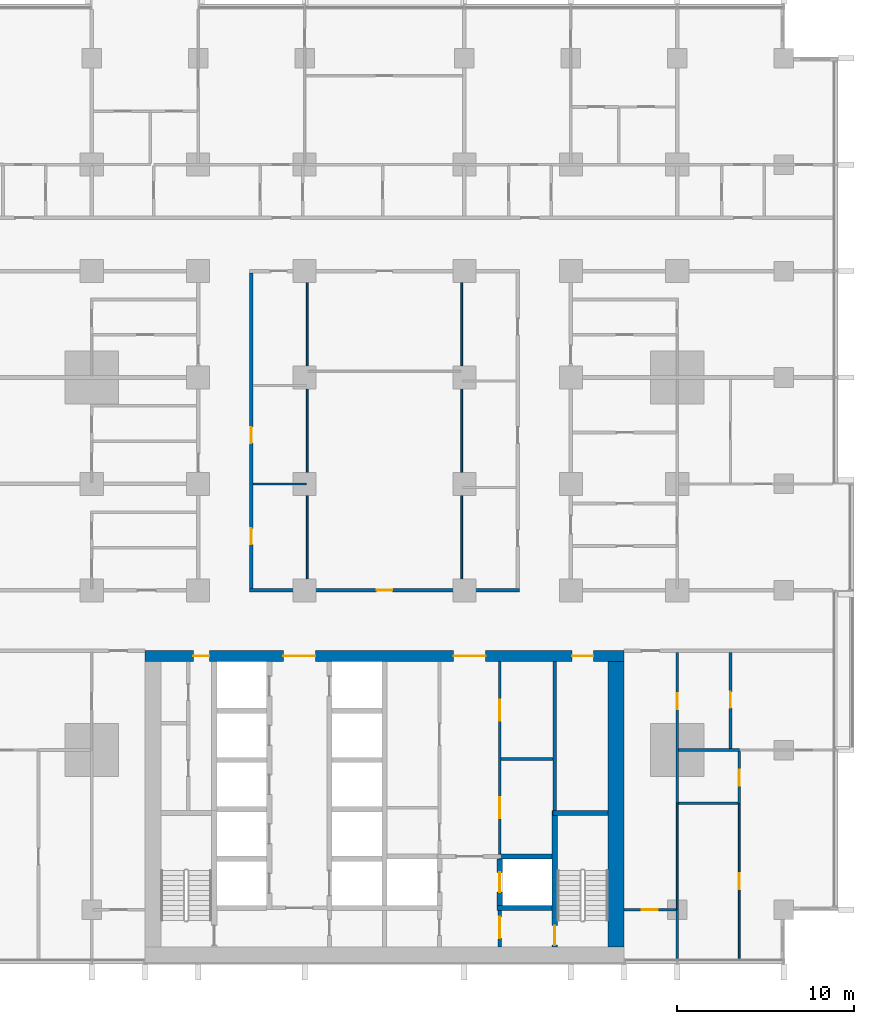
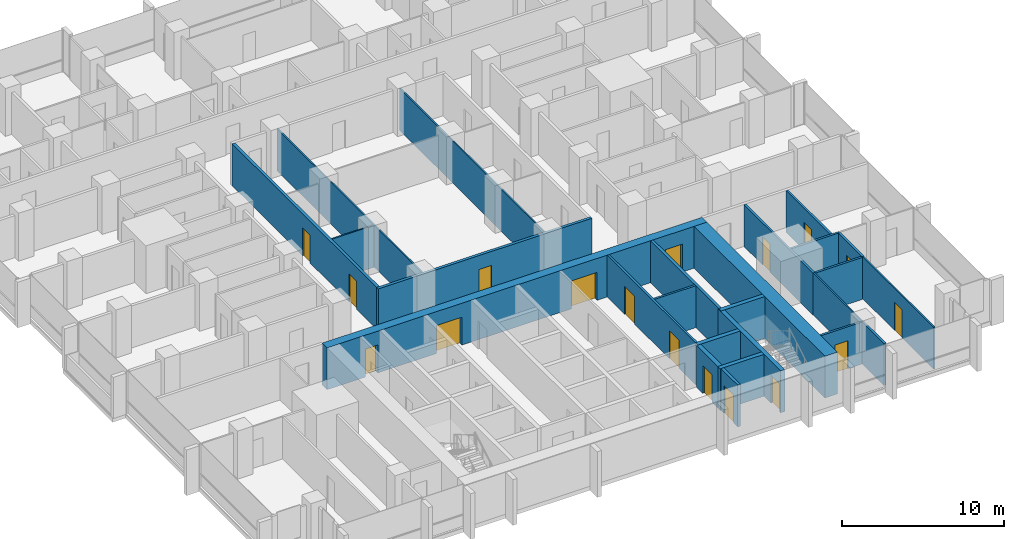
# One storey, part 9 of 18: 25 walls, 17 doors, 17 openings.
"""IFC4 building model written with IfcOpenShell, lengths in metres."""

from ifc_helpers import new_model, si_unit, direction, frame, frame_2d, origin, place, context, subcontext, project, spatial, rectangle, extrude, material, layer, layer_set, type_object, element, fill, save


model = new_model("IFC4")

# Units and contexts
model_context = context("Model", 3, precision=1e-05, world=origin(), true_north=direction((0.0, 1.0)))
body_context = subcontext(model_context, "Body", "Model", "MODEL_VIEW")
ifc_project = project(units=[si_unit("LENGTHUNIT", "METRE"), si_unit("AREAUNIT", "SQUARE_METRE"), si_unit("VOLUMEUNIT", "CUBIC_METRE"), si_unit("PLANEANGLEUNIT", "RADIAN"), si_unit("MASSUNIT", "GRAM", prefix="KILO")], contexts=[model_context])

# Site, building, storey
site_placement = place(None, origin())
site = spatial("IfcSite", under=ifc_project, at=site_placement, CompositionType="ELEMENT")
building_placement = place(site_placement, origin())
building = spatial("IfcBuilding", under=site, at=building_placement, Name="Finial Court Residences", CompositionType="ELEMENT")
storey_placement = place(building_placement, frame((0.0, 0.0, 72.10009765625)))
storey = spatial("IfcBuildingStorey", under=building, at=storey_placement, Name="L17", CompositionType="ELEMENT", Elevation=72.10009765625)

# Wall, openings, doors
ifc_material_1 = material(Name="Concrete C80/95", Category="concrete")
ifc_layer_1 = layer(ifc_material_1, 0.60009765625)
ifc_layer_set_1 = layer_set([ifc_layer_1], Name="Core outer wall 600 Concrete C80/95")
wall_type_1 = type_object("IfcWallType", Name="Core outer wall 600 Concrete C80/95", PredefinedType="SHEAR", material=ifc_layer_set_1)
wall_1_placement = place(storey_placement, frame((-13.5, -8.199951171875, 0.0), z_axis=(0.0, 0.0, 1.0), x_axis=(1.0, 0.0, 0.0)))
wall_1 = element("IfcWall", 1, at=wall_1_placement, inside=storey, type_object=wall_type_1, Name="Core outer wall L17-02", PredefinedType="SHEAR", context=body_context, shape_type="SweptSolid", body=[
    extrude(rectangle(XDim=27.0, YDim=0.60009765625, at=frame_2d((13.5, 0.0))), origin(), (0.0, 0.0, 1.0), 3.14990234375),
])
opening_1_placement = place(wall_1_placement, frame((7.800048828125, 0.0, 0.0)))
opening_1 = element("IfcOpeningElement", 2, at=opening_1_placement, cuts=wall_1, Name="Opening L17-C04", PredefinedType="OPENING", context=body_context, shape_type="SweptSolid", body=[
    extrude(rectangle(XDim=1.800048828125, YDim=2.10009765625, at=frame_2d((0.89990234375, 1.050048828125))), frame((0.0, 0.31005859375, 0.0), z_axis=(0.0, -1.0, 0.0), x_axis=(1.0, 0.0, 0.0)), (0.0, 0.0, 1.0), 0.6201171875),
])
opening_2_placement = place(wall_1_placement, frame((17.39990234375, 0.0, 0.0)))
opening_2 = element("IfcOpeningElement", 3, at=opening_2_placement, cuts=wall_1, Name="Opening L17-C05", PredefinedType="OPENING", context=body_context, shape_type="SweptSolid", body=[
    extrude(rectangle(XDim=1.800048828125, YDim=2.10009765625, at=frame_2d((0.89990234375, 1.050048828125))), frame((0.0, 0.31005859375, 0.0), z_axis=(0.0, -1.0, 0.0), x_axis=(1.0, 0.0, 0.0)), (0.0, 0.0, 1.0), 0.6201171875),
])
opening_3_placement = place(wall_1_placement, frame((2.72509765625, 0.0, 0.0)))
opening_3 = element("IfcOpeningElement", 4, at=opening_3_placement, cuts=wall_1, Name="Opening L17-C08", PredefinedType="OPENING", context=body_context, shape_type="SweptSolid", body=[
    extrude(rectangle(XDim=0.89990234375, YDim=2.10009765625, at=frame_2d((0.449951171875, 1.050048828125))), frame((0.0, 0.31005859375, 0.0), z_axis=(0.0, -1.0, 0.0), x_axis=(1.0, 0.0, 0.0)), (0.0, 0.0, 1.0), 0.6201171875),
])
opening_4_placement = place(wall_1_placement, frame((24.074951171875, 0.0, 0.0)))
opening_4 = element("IfcOpeningElement", 5, at=opening_4_placement, cuts=wall_1, Name="Opening L17-C09", PredefinedType="OPENING", context=body_context, shape_type="SweptSolid", body=[
    extrude(rectangle(XDim=1.199951171875, YDim=2.10009765625, at=frame_2d((0.60009765625, 1.050048828125))), frame((0.0, 0.31005859375, 0.0), z_axis=(0.0, -1.0, 0.0), x_axis=(1.0, 0.0, 0.0)), (0.0, 0.0, 1.0), 0.6201171875),
])
ifc_material_2 = material(Name="Steel fire door", Category="steel")
door_type_1 = type_object("IfcDoorType", Name="Lift lobby door 1800 x 2100 EI 60", OperationType="DOUBLE_DOOR_SINGLE_SWING", PredefinedType="DOOR", material=ifc_material_2)
door_1_placement = place(opening_1_placement, origin())
door_1 = element("IfcDoor", 6, at=door_1_placement, inside=storey, type_object=door_type_1, Name="Lift lobby door L17-C04", OperationType="DOUBLE_DOOR_SINGLE_SWING", OverallHeight=2.10009765625, OverallWidth=1.800048828125, PredefinedType="DOOR", context=body_context, shape_type="SweptSolid", body=[
    extrude(rectangle(XDim=1.800048828125, YDim=2.10009765625, at=frame_2d((0.89990234375, 1.050048828125))), frame((0.0, 0.02490234375, 0.0), z_axis=(0.0, -1.0, 0.0), x_axis=(1.0, 0.0, 0.0)), (0.0, 0.0, 1.0), 0.050048828125),
])
fill(opening_1, door_1)
door_2_placement = place(opening_2_placement, origin())
door_2 = element("IfcDoor", 7, at=door_2_placement, inside=storey, type_object=door_type_1, Name="Lift lobby door L17-C05", OperationType="DOUBLE_DOOR_SINGLE_SWING", OverallHeight=2.10009765625, OverallWidth=1.800048828125, PredefinedType="DOOR", context=body_context, shape_type="SweptSolid", body=[
    extrude(rectangle(XDim=1.800048828125, YDim=2.10009765625, at=frame_2d((0.89990234375, 1.050048828125))), frame((0.0, 0.02490234375, 0.0), z_axis=(0.0, -1.0, 0.0), x_axis=(1.0, 0.0, 0.0)), (0.0, 0.0, 1.0), 0.050048828125),
])
fill(opening_2, door_2)
door_type_2 = type_object("IfcDoorType", Name="Riser room door 1200 x 2100 EI 90", OperationType="NOTDEFINED", PredefinedType="DOOR", material=ifc_material_2)
door_3_placement = place(opening_4_placement, origin())
door_3 = element("IfcDoor", 8, at=door_3_placement, inside=storey, type_object=door_type_2, Name="Riser room door L17-C09", OperationType="SINGLE_SWING_RIGHT", OverallHeight=2.10009765625, OverallWidth=1.199951171875, PredefinedType="DOOR", context=body_context, shape_type="SweptSolid", body=[
    extrude(rectangle(XDim=1.199951171875, YDim=2.10009765625, at=frame_2d((0.60009765625, 1.050048828125))), frame((0.0, 0.02490234375, 0.0), z_axis=(0.0, -1.0, 0.0), x_axis=(1.0, 0.0, 0.0)), (0.0, 0.0, 1.0), 0.050048828125),
])
fill(opening_4, door_3)
door_type_3 = type_object("IfcDoorType", Name="Riser room door 900 x 2100 EI 90", OperationType="NOTDEFINED", PredefinedType="DOOR", material=ifc_material_2)
door_4_placement = place(opening_3_placement, origin())
door_4 = element("IfcDoor", 9, at=door_4_placement, inside=storey, type_object=door_type_3, Name="Riser room door L17-C08", OperationType="SINGLE_SWING_RIGHT", OverallHeight=2.10009765625, OverallWidth=0.89990234375, PredefinedType="DOOR", context=body_context, shape_type="SweptSolid", body=[
    extrude(rectangle(XDim=0.89990234375, YDim=2.10009765625, at=frame_2d((0.449951171875, 1.050048828125))), frame((0.0, 0.02490234375, 0.0), z_axis=(0.0, -1.0, 0.0), x_axis=(1.0, 0.0, 0.0)), (0.0, 0.0, 1.0), 0.050048828125),
])
fill(opening_3, door_4)

# Walls
ifc_layer_2 = layer(ifc_material_1, 0.89990234375)
ifc_layer_set_2 = layer_set([ifc_layer_2], Name="Core outer wall 900 Concrete C80/95")
wall_type_2 = type_object("IfcWallType", Name="Core outer wall 900 Concrete C80/95", PredefinedType="SHEAR", material=ifc_layer_set_2)
wall_2_placement = place(storey_placement, frame((13.050048828125, -24.60009765625, 0.0), z_axis=(0.0, 0.0, 1.0), x_axis=(0.0, 1.0, 0.0)))
element("IfcWall", 10, at=wall_2_placement, inside=storey, type_object=wall_type_2, Name="Core outer wall L17-04", PredefinedType="SHEAR", context=body_context, shape_type="SweptSolid", body=[
    extrude(rectangle(XDim=16.10009765625, YDim=0.89990234375, at=frame_2d((8.050048828125, 0.0))), origin(), (0.0, 0.0, 1.0), 3.14990234375),
])
ifc_material_3 = material(Name="Fire-rated gypsum board partition")
ifc_layer_3 = layer(ifc_material_3, 0.14990234375)
ifc_layer_set_3 = layer_set([ifc_layer_3], Name="Core room partition 150 EI 60")
wall_type_3 = type_object("IfcWallType", Name="Core room partition 150 EI 60", PredefinedType="PARTITIONING", material=ifc_layer_set_3)
wall_3_placement = place(storey_placement, frame((6.574951171875, -14.0, 0.0), z_axis=(0.0, 0.0, 1.0), x_axis=(1.0, 0.0, 0.0)))
element("IfcWall", 11, at=wall_3_placement, inside=storey, type_object=wall_type_3, Name="Core partition L17-17", PredefinedType="PARTITIONING", context=body_context, shape_type="SweptSolid", body=[
    extrude(rectangle(XDim=2.925048828125, YDim=0.14990234375, at=frame_2d((1.46240234375, 0.0))), origin(), (0.0, 0.0, 1.0), 3.14990234375),
])

# Wall, openings, doors
wall_4_placement = place(storey_placement, frame((6.5, -8.5, 0.0), z_axis=(0.0, 0.0, 1.0), x_axis=(0.0, -1.0, 0.0)))
wall_4 = element("IfcWall", 12, at=wall_4_placement, inside=storey, type_object=wall_type_3, Name="Core partition L17-35", PredefinedType="PARTITIONING", context=body_context, shape_type="SweptSolid", body=[
    extrude(rectangle(XDim=10.85009765625, YDim=0.14990234375, at=frame_2d((5.425048828125, 0.0))), origin(), (0.0, 0.0, 1.0), 3.14990234375),
])
opening_5_placement = place(wall_4_placement, frame((7.64990234375, 0.0, 0.0)))
opening_5 = element("IfcOpeningElement", 13, at=opening_5_placement, cuts=wall_4, Name="Opening L17-C14", PredefinedType="OPENING", context=body_context, shape_type="SweptSolid", body=[
    extrude(rectangle(XDim=1.199951171875, YDim=2.10009765625, at=frame_2d((0.60009765625, 1.050048828125))), frame((0.0, 0.0849609375, 0.0), z_axis=(0.0, -1.0, 0.0), x_axis=(1.0, 0.0, 0.0)), (0.0, 0.0, 1.0), 0.169921875),
])
opening_6_placement = place(wall_4_placement, frame((2.14990234375, 0.0, 0.0)))
opening_6 = element("IfcOpeningElement", 14, at=opening_6_placement, cuts=wall_4, Name="Opening L17-C15", PredefinedType="OPENING", context=body_context, shape_type="SweptSolid", body=[
    extrude(rectangle(XDim=1.199951171875, YDim=2.10009765625, at=frame_2d((0.60009765625, 1.050048828125))), frame((0.0, 0.0849609375, 0.0), z_axis=(0.0, -1.0, 0.0), x_axis=(1.0, 0.0, 0.0)), (0.0, 0.0, 1.0), 0.169921875),
])
door_type_4 = type_object("IfcDoorType", Name="Core room door 1200 x 2100 EI 60", OperationType="NOTDEFINED", PredefinedType="DOOR", material=ifc_material_2)
door_5_placement = place(opening_5_placement, origin())
door_5 = element("IfcDoor", 15, at=door_5_placement, inside=storey, type_object=door_type_4, Name="Core room door L17-C14", OperationType="SINGLE_SWING_RIGHT", OverallHeight=2.10009765625, OverallWidth=1.199951171875, PredefinedType="DOOR", context=body_context, shape_type="SweptSolid", body=[
    extrude(rectangle(XDim=1.199951171875, YDim=2.10009765625, at=frame_2d((0.60009765625, 1.050048828125))), frame((0.0, 0.02490234375, 0.0), z_axis=(0.0, -1.0, 0.0), x_axis=(1.0, 0.0, 0.0)), (0.0, 0.0, 1.0), 0.050048828125),
])
fill(opening_5, door_5)
door_6_placement = place(opening_6_placement, origin())
door_6 = element("IfcDoor", 16, at=door_6_placement, inside=storey, type_object=door_type_4, Name="Core room door L17-C15", OperationType="SINGLE_SWING_RIGHT", OverallHeight=2.10009765625, OverallWidth=1.199951171875, PredefinedType="DOOR", context=body_context, shape_type="SweptSolid", body=[
    extrude(rectangle(XDim=1.199951171875, YDim=2.10009765625, at=frame_2d((0.60009765625, 1.050048828125))), frame((0.0, 0.02490234375, 0.0), z_axis=(0.0, -1.0, 0.0), x_axis=(1.0, 0.0, 0.0)), (0.0, 0.0, 1.0), 0.050048828125),
])
fill(opening_6, door_6)

# Wall, opening, door
ifc_material_4 = material(Name="Gypsum board")
ifc_layer_4 = layer(ifc_material_4, 0.02490234375)
ifc_material_5 = material(Name="Acoustic mineral wool in double frame")
ifc_layer_5 = layer(ifc_material_5, 0.14990234375)
ifc_layer_6 = layer(ifc_material_4, 0.02490234375)
ifc_layer_set_4 = layer_set([ifc_layer_4, ifc_layer_5, ifc_layer_6], Name="Corridor wall 200, 1 hour")
wall_type_4 = type_object("IfcWallType", Name="Corridor wall 200, 1 hour", PredefinedType="PARTITIONING", material=ifc_layer_set_4)
wall_5_placement = place(storey_placement, frame((-7.60009765625, -4.5, 0.0), z_axis=(0.0, 0.0, 1.0), x_axis=(1.0, 0.0, 0.0)))
wall_5 = element("IfcWall", 17, at=wall_5_placement, inside=storey, type_object=wall_type_4, Name="Partition L17-010", PredefinedType="PARTITIONING", context=body_context, shape_type="SweptSolid", body=[
    extrude(rectangle(XDim=15.2001953125, YDim=0.199951171875, at=frame_2d((7.60009765625, 0.0))), origin(), (0.0, 0.0, 1.0), 3.14990234375),
])
opening_7_placement = place(wall_5_placement, frame((7.14990234375, 0.0, 0.0)))
opening_7 = element("IfcOpeningElement", 18, at=opening_7_placement, cuts=wall_5, Name="Opening L17-D008", PredefinedType="OPENING", context=body_context, shape_type="SweptSolid", body=[
    extrude(rectangle(XDim=0.89990234375, YDim=2.10009765625, at=frame_2d((0.449951171875, 1.050048828125))), frame((0.0, 0.10986328125, 0.0), z_axis=(0.0, -1.0, 0.0), x_axis=(1.0, 0.0, 0.0)), (0.0, 0.0, 1.0), 0.219970703125),
])
ifc_material_6 = material(Name="Timber door leaf in hollow metal frame", Category="wood")
door_type_5 = type_object("IfcDoorType", Name="Fire door set 900 x 2100, 30 minutes", OperationType="SINGLE_SWING_LEFT", PredefinedType="DOOR", material=ifc_material_6)
door_7_placement = place(opening_7_placement, origin())
door_7 = element("IfcDoor", 19, at=door_7_placement, inside=storey, type_object=door_type_5, Name="Door L17-D008", OperationType="SINGLE_SWING_LEFT", OverallHeight=2.10009765625, OverallWidth=0.89990234375, PredefinedType="DOOR", context=body_context, shape_type="SweptSolid", body=[
    extrude(rectangle(XDim=0.89990234375, YDim=2.10009765625, at=frame_2d((0.449951171875, 1.050048828125))), frame((0.0, 0.02490234375, 0.0), z_axis=(0.0, -1.0, 0.0), x_axis=(1.0, 0.0, 0.0)), (0.0, 0.0, 1.0), 0.050048828125),
])
fill(opening_7, door_7)

# Wall, openings, doors
wall_6_placement = place(storey_placement, frame((-7.5, -4.39990234375, 0.0), z_axis=(0.0, 0.0, 1.0), x_axis=(0.0, 1.0, 0.0)))
wall_6 = element("IfcWall", 20, at=wall_6_placement, inside=storey, type_object=wall_type_4, Name="Partition L17-072", PredefinedType="PARTITIONING", context=body_context, shape_type="SweptSolid", body=[
    extrude(rectangle(XDim=17.7998046875, YDim=0.199951171875, at=frame_2d((8.89990234375, 0.0))), origin(), (0.0, 0.0, 1.0), 3.14990234375),
])
opening_8_placement = place(wall_6_placement, frame((2.5, 0.0, 0.0)))
opening_8 = element("IfcOpeningElement", 21, at=opening_8_placement, cuts=wall_6, Name="Opening L17-D044", PredefinedType="OPENING", context=body_context, shape_type="SweptSolid", body=[
    extrude(rectangle(XDim=0.89990234375, YDim=2.10009765625, at=frame_2d((0.449951171875, 1.050048828125))), frame((0.0, 0.10986328125, 0.0), z_axis=(0.0, -1.0, 0.0), x_axis=(1.0, 0.0, 0.0)), (0.0, 0.0, 1.0), 0.219970703125),
])
opening_9_placement = place(wall_6_placement, frame((8.199951171875, 0.0, 0.0)))
opening_9 = element("IfcOpeningElement", 22, at=opening_9_placement, cuts=wall_6, Name="Opening L17-D045", PredefinedType="OPENING", context=body_context, shape_type="SweptSolid", body=[
    extrude(rectangle(XDim=0.89990234375, YDim=2.10009765625, at=frame_2d((0.449951171875, 1.050048828125))), frame((0.0, 0.10986328125, 0.0), z_axis=(0.0, -1.0, 0.0), x_axis=(1.0, 0.0, 0.0)), (0.0, 0.0, 1.0), 0.219970703125),
])
door_8_placement = place(opening_8_placement, origin())
door_8 = element("IfcDoor", 23, at=door_8_placement, inside=storey, type_object=door_type_5, Name="Door L17-D044", OperationType="SINGLE_SWING_LEFT", OverallHeight=2.10009765625, OverallWidth=0.89990234375, PredefinedType="DOOR", context=body_context, shape_type="SweptSolid", body=[
    extrude(rectangle(XDim=0.89990234375, YDim=2.10009765625, at=frame_2d((0.449951171875, 1.050048828125))), frame((0.0, 0.02490234375, 0.0), z_axis=(0.0, -1.0, 0.0), x_axis=(1.0, 0.0, 0.0)), (0.0, 0.0, 1.0), 0.050048828125),
])
fill(opening_8, door_8)
door_9_placement = place(opening_9_placement, origin())
door_9 = element("IfcDoor", 24, at=door_9_placement, inside=storey, type_object=door_type_5, Name="Door L17-D045", OperationType="SINGLE_SWING_LEFT", OverallHeight=2.10009765625, OverallWidth=0.89990234375, PredefinedType="DOOR", context=body_context, shape_type="SweptSolid", body=[
    extrude(rectangle(XDim=0.89990234375, YDim=2.10009765625, at=frame_2d((0.449951171875, 1.050048828125))), frame((0.0, 0.02490234375, 0.0), z_axis=(0.0, -1.0, 0.0), x_axis=(1.0, 0.0, 0.0)), (0.0, 0.0, 1.0), 0.050048828125),
])
fill(opening_9, door_9)

# Wall, opening, door
ifc_layer_7 = layer(ifc_material_3, 0.199951171875)
ifc_layer_set_5 = layer_set([ifc_layer_7], Name="Firefighting lobby wall 200 EI 120")
wall_type_5 = type_object("IfcWallType", Name="Firefighting lobby wall 200 EI 120", PredefinedType="PARTITIONING", material=ifc_layer_set_5)
wall_7_placement = place(storey_placement, frame((6.5, -22.550048828125, 0.0), z_axis=(0.0, 0.0, 1.0), x_axis=(0.0, -1.0, 0.0)))
wall_7 = element("IfcWall", 25, at=wall_7_placement, inside=storey, type_object=wall_type_5, Name="Core partition L17-33", PredefinedType="PARTITIONING", context=body_context, shape_type="SweptSolid", body=[
    extrude(rectangle(XDim=2.050048828125, YDim=0.199951171875, at=frame_2d((1.02490234375, 0.0))), origin(), (0.0, 0.0, 1.0), 3.14990234375),
])
opening_10_placement = place(wall_7_placement, frame((0.35009765625, 0.0, 0.0)))
opening_10 = element("IfcOpeningElement", 26, at=opening_10_placement, cuts=wall_7, Name="Opening L17-C01", PredefinedType="OPENING", context=body_context, shape_type="SweptSolid", body=[
    extrude(rectangle(XDim=1.199951171875, YDim=2.10009765625, at=frame_2d((0.60009765625, 1.050048828125))), frame((0.0, 0.10986328125, 0.0), z_axis=(0.0, -1.0, 0.0), x_axis=(1.0, 0.0, 0.0)), (0.0, 0.0, 1.0), 0.219970703125),
])
door_type_6 = type_object("IfcDoorType", Name="Firefighting lobby door 1200 x 2100 EI 90", OperationType="NOTDEFINED", PredefinedType="DOOR", material=ifc_material_2)
door_10_placement = place(opening_10_placement, origin())
door_10 = element("IfcDoor", 27, at=door_10_placement, inside=storey, type_object=door_type_6, Name="Firefighting lobby door L17-C01", OperationType="SINGLE_SWING_RIGHT", OverallHeight=2.10009765625, OverallWidth=1.199951171875, PredefinedType="DOOR", context=body_context, shape_type="SweptSolid", body=[
    extrude(rectangle(XDim=1.199951171875, YDim=2.10009765625, at=frame_2d((0.60009765625, 1.050048828125))), frame((0.0, 0.02490234375, 0.0), z_axis=(0.0, -1.0, 0.0), x_axis=(1.0, 0.0, 0.0)), (0.0, 0.0, 1.0), 0.050048828125),
])
fill(opening_10, door_10)

# Walls
ifc_layer_8 = layer(ifc_material_4, 0.012451171875)
ifc_material_7 = material(Name="Mineral wool in light-gauge frame")
ifc_layer_9 = layer(ifc_material_7, 0.074951171875)
ifc_layer_10 = layer(ifc_material_4, 0.012451171875)
ifc_layer_set_6 = layer_set([ifc_layer_8, ifc_layer_9, ifc_layer_10], Name="Gypsum board partition 100")
wall_type_6 = type_object("IfcWallType", Name="Gypsum board partition 100", PredefinedType="PARTITIONING", material=ifc_layer_set_6)
wall_8_placement = place(storey_placement, frame((-7.39990234375, 1.5, 0.0), z_axis=(0.0, 0.0, 1.0), x_axis=(1.0, 0.0, 0.0)))
element("IfcWall", 28, at=wall_8_placement, inside=storey, type_object=wall_type_6, Name="Partition L17-017", PredefinedType="PARTITIONING", context=body_context, shape_type="SweptSolid", body=[
    extrude(rectangle(XDim=3.0, YDim=0.10009765625, at=frame_2d((1.5, 0.0))), origin(), (0.0, 0.0, 1.0), 3.14990234375),
])
for number, where, z_axis, x_axis, name in (
    (29, (-4.35009765625, -4.39990234375, 0.0), (0.0, 0.0, 1.0), (0.0, 1.0, 0.0), "Partition L17-076"),
    (30, (4.35009765625, -4.39990234375, 0.0), (0.0, 0.0, 1.0), (0.0, 1.0, 0.0), "Partition L17-078"),
):
    element("IfcWall", number, at=place(storey_placement, frame(where, z_axis=z_axis, x_axis=x_axis)), inside=storey, type_object=wall_type_6, Name=name, PredefinedType="PARTITIONING", context=body_context, shape_type="SweptSolid", body=[
        extrude(rectangle(XDim=17.7998046875, YDim=0.10009765625, at=frame_2d((8.89990234375, 0.0))), origin(), (0.0, 0.0, 1.0), 3.14990234375),
    ])
wall_9_placement = place(storey_placement, frame((16.5, -22.5, 0.0), z_axis=(0.0, 0.0, 1.0), x_axis=(0.0, 1.0, 0.0)))
element("IfcWall", 31, at=wall_9_placement, inside=storey, type_object=wall_type_6, Name="Partition L17-088", PredefinedType="PARTITIONING", context=body_context, shape_type="SweptSolid", body=[
    extrude(rectangle(XDim=6.0, YDim=0.10009765625, at=frame_2d((3.0, 0.0))), origin(), (0.0, 0.0, 1.0), 3.14990234375),
])

# Wall, opening, door
wall_10_placement = place(storey_placement, frame((20.0, -25.25, 0.0), z_axis=(0.0, 0.0, 1.0), x_axis=(0.0, 1.0, 0.0)))
wall_10 = element("IfcWall", 32, at=wall_10_placement, inside=storey, type_object=wall_type_6, Name="Partition L17-102", PredefinedType="PARTITIONING", context=body_context, shape_type="SweptSolid", body=[
    extrude(rectangle(XDim=8.75, YDim=0.10009765625, at=frame_2d((4.375, 0.0))), origin(), (0.0, 0.0, 1.0), 3.14990234375),
])
opening_11_placement = place(wall_10_placement, frame((3.89990234375, 0.0, 0.0)))
opening_11 = element("IfcOpeningElement", 33, at=opening_11_placement, cuts=wall_10, Name="Opening L17-D064", PredefinedType="OPENING", context=body_context, shape_type="SweptSolid", body=[
    extrude(rectangle(XDim=0.89990234375, YDim=2.10009765625, at=frame_2d((0.449951171875, 1.050048828125))), frame((0.0, 0.06005859375, 0.0), z_axis=(0.0, -1.0, 0.0), x_axis=(1.0, 0.0, 0.0)), (0.0, 0.0, 1.0), 0.1201171875),
])
ifc_material_8 = material(Name="Timber door leaf in timber frame", Category="wood")
door_type_7 = type_object("IfcDoorType", Name="Door set 900 x 2100", OperationType="SINGLE_SWING_LEFT", PredefinedType="DOOR", material=ifc_material_8)
door_11_placement = place(opening_11_placement, origin())
door_11 = element("IfcDoor", 34, at=door_11_placement, inside=storey, type_object=door_type_7, Name="Door L17-D064", OperationType="SINGLE_SWING_LEFT", OverallHeight=2.10009765625, OverallWidth=0.89990234375, PredefinedType="DOOR", context=body_context, shape_type="SweptSolid", body=[
    extrude(rectangle(XDim=0.89990234375, YDim=2.10009765625, at=frame_2d((0.449951171875, 1.050048828125))), frame((0.0, 0.02490234375, 0.0), z_axis=(0.0, -1.0, 0.0), x_axis=(1.0, 0.0, 0.0)), (0.0, 0.0, 1.0), 0.050048828125),
])
fill(opening_11, door_11)

ifc_material_9 = material(Name="Moisture-resistant gypsum board")
ifc_layer_11 = layer(ifc_material_9, 0.012451171875)
ifc_layer_12 = layer(ifc_material_7, 0.125)
ifc_layer_13 = layer(ifc_material_9, 0.012451171875)
ifc_layer_set_7 = layer_set([ifc_layer_11, ifc_layer_12, ifc_layer_13], Name="Gypsum board wet-area partition 150")
wall_type_7 = type_object("IfcWallType", Name="Gypsum board wet-area partition 150", PredefinedType="PARTITIONING", material=ifc_layer_set_7)
wall_11_placement = place(storey_placement, frame((13.5, -22.5, 0.0), z_axis=(0.0, 0.0, 1.0), x_axis=(1.0, 0.0, 0.0)))
wall_11 = element("IfcWall", 35, at=wall_11_placement, inside=storey, type_object=wall_type_7, Name="Partition L17-001", PredefinedType="PARTITIONING", context=body_context, shape_type="SweptSolid", body=[
    extrude(rectangle(XDim=2.925048828125, YDim=0.14990234375, at=frame_2d((1.46240234375, 0.0))), origin(), (0.0, 0.0, 1.0), 3.14990234375),
])
opening_12_placement = place(wall_11_placement, frame((1.0, 0.0, 0.0)))
opening_12 = element("IfcOpeningElement", 36, at=opening_12_placement, cuts=wall_11, Name="Opening L17-D002", PredefinedType="OPENING", context=body_context, shape_type="SweptSolid", body=[
    extrude(rectangle(XDim=0.89990234375, YDim=2.10009765625, at=frame_2d((0.449951171875, 1.050048828125))), frame((0.0, 0.0849609375, 0.0), z_axis=(0.0, -1.0, 0.0), x_axis=(1.0, 0.0, 0.0)), (0.0, 0.0, 1.0), 0.169921875),
])
door_12_placement = place(opening_12_placement, origin())
door_12 = element("IfcDoor", 37, at=door_12_placement, inside=storey, type_object=door_type_7, Name="Door L17-D002", OperationType="SINGLE_SWING_RIGHT", OverallHeight=2.10009765625, OverallWidth=0.89990234375, PredefinedType="DOOR", context=body_context, shape_type="SweptSolid", body=[
    extrude(rectangle(XDim=0.89990234375, YDim=2.10009765625, at=frame_2d((0.449951171875, 1.050048828125))), frame((0.0, 0.02490234375, 0.0), z_axis=(0.0, -1.0, 0.0), x_axis=(1.0, 0.0, 0.0)), (0.0, 0.0, 1.0), 0.050048828125),
])
fill(opening_12, door_12)

# Walls
wall_12_placement = place(storey_placement, frame((16.574951171875, -16.5, 0.0), z_axis=(0.0, 0.0, 1.0), x_axis=(1.0, 0.0, 0.0)))
element("IfcWall", 38, at=wall_12_placement, inside=storey, type_object=wall_type_7, Name="Partition L17-002", PredefinedType="PARTITIONING", context=body_context, shape_type="SweptSolid", body=[
    extrude(rectangle(XDim=3.35009765625, YDim=0.14990234375, at=frame_2d((1.675048828125, 0.0))), origin(), (0.0, 0.0, 1.0), 3.14990234375),
])
wall_13_placement = place(storey_placement, frame((16.574951171875, -13.5, 0.0), z_axis=(0.0, 0.0, 1.0), x_axis=(1.0, 0.0, 0.0)))
element("IfcWall", 39, at=wall_13_placement, inside=storey, type_object=wall_type_7, Name="Partition L17-006", PredefinedType="PARTITIONING", context=body_context, shape_type="SweptSolid", body=[
    extrude(rectangle(XDim=3.425048828125, YDim=0.14990234375, at=frame_2d((1.71240234375, 0.0))), origin(), (0.0, 0.0, 1.0), 3.14990234375),
])
wall_14_placement = place(storey_placement, frame((16.5, -25.25, 0.0), z_axis=(0.0, 0.0, 1.0), x_axis=(0.0, 1.0, 0.0)))
element("IfcWall", 40, at=wall_14_placement, inside=storey, type_object=wall_type_7, Name="Partition L17-094", PredefinedType="PARTITIONING", context=body_context, shape_type="SweptSolid", body=[
    extrude(rectangle(XDim=2.75, YDim=0.14990234375, at=frame_2d((1.375, 0.0))), origin(), (0.0, 0.0, 1.0), 3.14990234375),
])

# Wall, opening, door
wall_15_placement = place(storey_placement, frame((16.5, -16.5, 0.0), z_axis=(0.0, 0.0, 1.0), x_axis=(0.0, 1.0, 0.0)))
wall_15 = element("IfcWall", 41, at=wall_15_placement, inside=storey, type_object=wall_type_7, Name="Partition L17-095", PredefinedType="PARTITIONING", context=body_context, shape_type="SweptSolid", body=[
    extrude(rectangle(XDim=8.5, YDim=0.14990234375, at=frame_2d((4.25, 0.0))), origin(), (0.0, 0.0, 1.0), 3.14990234375),
])
opening_13_placement = place(wall_15_placement, frame((5.300048828125, 0.0, 0.0)))
opening_13 = element("IfcOpeningElement", 42, at=opening_13_placement, cuts=wall_15, Name="Opening L17-D059", PredefinedType="OPENING", context=body_context, shape_type="SweptSolid", body=[
    extrude(rectangle(XDim=0.89990234375, YDim=2.10009765625, at=frame_2d((0.449951171875, 1.050048828125))), frame((0.0, 0.0849609375, 0.0), z_axis=(0.0, -1.0, 0.0), x_axis=(1.0, 0.0, 0.0)), (0.0, 0.0, 1.0), 0.169921875),
])
door_13_placement = place(opening_13_placement, origin())
door_13 = element("IfcDoor", 43, at=door_13_placement, inside=storey, type_object=door_type_7, Name="Door L17-D059", OperationType="SINGLE_SWING_RIGHT", OverallHeight=2.10009765625, OverallWidth=0.89990234375, PredefinedType="DOOR", context=body_context, shape_type="SweptSolid", body=[
    extrude(rectangle(XDim=0.89990234375, YDim=2.10009765625, at=frame_2d((0.449951171875, 1.050048828125))), frame((0.0, 0.02490234375, 0.0), z_axis=(0.0, -1.0, 0.0), x_axis=(1.0, 0.0, 0.0)), (0.0, 0.0, 1.0), 0.050048828125),
])
fill(opening_13, door_13)

wall_16_placement = place(storey_placement, frame((19.5, -13.425048828125, 0.0), z_axis=(0.0, 0.0, 1.0), x_axis=(0.0, 1.0, 0.0)))
wall_16 = element("IfcWall", 44, at=wall_16_placement, inside=storey, type_object=wall_type_7, Name="Partition L17-101", PredefinedType="PARTITIONING", context=body_context, shape_type="SweptSolid", body=[
    extrude(rectangle(XDim=5.425048828125, YDim=0.14990234375, at=frame_2d((2.71240234375, 0.0))), origin(), (0.0, 0.0, 1.0), 3.14990234375),
])
opening_14_placement = place(wall_16_placement, frame((2.300048828125, 0.0, 0.0)))
opening_14 = element("IfcOpeningElement", 45, at=opening_14_placement, cuts=wall_16, Name="Opening L17-D063", PredefinedType="OPENING", context=body_context, shape_type="SweptSolid", body=[
    extrude(rectangle(XDim=0.89990234375, YDim=2.10009765625, at=frame_2d((0.449951171875, 1.050048828125))), frame((0.0, 0.0849609375, 0.0), z_axis=(0.0, -1.0, 0.0), x_axis=(1.0, 0.0, 0.0)), (0.0, 0.0, 1.0), 0.169921875),
])
door_14_placement = place(opening_14_placement, origin())
door_14 = element("IfcDoor", 46, at=door_14_placement, inside=storey, type_object=door_type_7, Name="Door L17-D063", OperationType="SINGLE_SWING_RIGHT", OverallHeight=2.10009765625, OverallWidth=0.89990234375, PredefinedType="DOOR", context=body_context, shape_type="SweptSolid", body=[
    extrude(rectangle(XDim=0.89990234375, YDim=2.10009765625, at=frame_2d((0.449951171875, 1.050048828125))), frame((0.0, 0.02490234375, 0.0), z_axis=(0.0, -1.0, 0.0), x_axis=(1.0, 0.0, 0.0)), (0.0, 0.0, 1.0), 0.050048828125),
])
fill(opening_14, door_14)

wall_17_placement = place(storey_placement, frame((20.0, -16.5, 0.0), z_axis=(0.0, 0.0, 1.0), x_axis=(0.0, 1.0, 0.0)))
wall_17 = element("IfcWall", 47, at=wall_17_placement, inside=storey, type_object=wall_type_7, Name="Partition L17-103", PredefinedType="PARTITIONING", context=body_context, shape_type="SweptSolid", body=[
    extrude(rectangle(XDim=2.925048828125, YDim=0.14990234375, at=frame_2d((1.46240234375, 0.0))), origin(), (0.0, 0.0, 1.0), 3.14990234375),
])
opening_15_placement = place(wall_17_placement, frame((1.0, 0.0, 0.0)))
opening_15 = element("IfcOpeningElement", 48, at=opening_15_placement, cuts=wall_17, Name="Opening L17-D065", PredefinedType="OPENING", context=body_context, shape_type="SweptSolid", body=[
    extrude(rectangle(XDim=0.89990234375, YDim=2.10009765625, at=frame_2d((0.449951171875, 1.050048828125))), frame((0.0, 0.0849609375, 0.0), z_axis=(0.0, -1.0, 0.0), x_axis=(1.0, 0.0, 0.0)), (0.0, 0.0, 1.0), 0.169921875),
])
door_15_placement = place(opening_15_placement, origin())
door_15 = element("IfcDoor", 49, at=door_15_placement, inside=storey, type_object=door_type_7, Name="Door L17-D065", OperationType="SINGLE_SWING_LEFT", OverallHeight=2.10009765625, OverallWidth=0.89990234375, PredefinedType="DOOR", context=body_context, shape_type="SweptSolid", body=[
    extrude(rectangle(XDim=0.89990234375, YDim=2.10009765625, at=frame_2d((0.449951171875, 1.050048828125))), frame((0.0, 0.02490234375, 0.0), z_axis=(0.0, -1.0, 0.0), x_axis=(1.0, 0.0, 0.0)), (0.0, 0.0, 1.0), 0.050048828125),
])
fill(opening_15, door_15)

# Walls
ifc_layer_14 = layer(ifc_material_1, 0.300048828125)
ifc_layer_set_8 = layer_set([ifc_layer_14], Name="Lift shaft and stair wall 300 Concrete C80/95")
wall_type_8 = type_object("IfcWallType", Name="Lift shaft and stair wall 300 Concrete C80/95", PredefinedType="SHEAR", material=ifc_layer_set_8)
wall_18_placement = place(storey_placement, frame((6.35009765625, -22.39990234375, 0.0), z_axis=(0.0, 0.0, 1.0), x_axis=(1.0, 0.0, 0.0)))
element("IfcWall", 50, at=wall_18_placement, inside=storey, type_object=wall_type_8, Name="Core wall L17-04", PredefinedType="SHEAR", context=body_context, shape_type="SweptSolid", body=[
    extrude(rectangle(XDim=3.099853515625, YDim=0.300048828125, at=frame_2d((1.5498046875, 0.0))), origin(), (0.0, 0.0, 1.0), 3.14990234375),
])
wall_19_placement = place(storey_placement, frame((6.425048828125, -19.5, 0.0), z_axis=(0.0, 0.0, 1.0), x_axis=(1.0, 0.0, 0.0)))
element("IfcWall", 51, at=wall_19_placement, inside=storey, type_object=wall_type_8, Name="Core wall L17-09", PredefinedType="SHEAR", context=body_context, shape_type="SweptSolid", body=[
    extrude(rectangle(XDim=3.02490234375, YDim=0.300048828125, at=frame_2d((1.512451171875, 0.0))), origin(), (0.0, 0.0, 1.0), 3.14990234375),
])
wall_20_placement = place(storey_placement, frame((9.5, -17.050048828125, 0.0), z_axis=(0.0, 0.0, 1.0), x_axis=(1.0, 0.0, 0.0)))
element("IfcWall", 52, at=wall_20_placement, inside=storey, type_object=wall_type_8, Name="Core wall L17-11", PredefinedType="SHEAR", context=body_context, shape_type="SweptSolid", body=[
    extrude(rectangle(XDim=3.10009765625, YDim=0.300048828125, at=frame_2d((1.550048828125, 0.0))), origin(), (0.0, 0.0, 1.0), 3.14990234375),
])

# Wall, opening, door
wall_21_placement = place(storey_placement, frame((6.5, -22.25, 0.0), z_axis=(0.0, 0.0, 1.0), x_axis=(0.0, 1.0, 0.0)))
wall_21 = element("IfcWall", 53, at=wall_21_placement, inside=storey, type_object=wall_type_8, Name="Core wall L17-34", PredefinedType="SHEAR", context=body_context, shape_type="SweptSolid", body=[
    extrude(rectangle(XDim=2.60009765625, YDim=0.300048828125, at=frame_2d((1.300048828125, 0.0))), origin(), (0.0, 0.0, 1.0), 3.14990234375),
])
opening_16_placement = place(wall_21_placement, frame((0.75, 0.0, 0.0)))
opening_16 = element("IfcOpeningElement", 54, at=opening_16_placement, cuts=wall_21, Name="Opening L17-LD02", PredefinedType="OPENING", context=body_context, shape_type="SweptSolid", body=[
    extrude(rectangle(XDim=1.10009765625, YDim=2.10009765625, at=frame_2d((0.550048828125, 1.050048828125))), frame((0.0, 0.159912109375, 0.0), z_axis=(0.0, -1.0, 0.0), x_axis=(1.0, 0.0, 0.0)), (0.0, 0.0, 1.0), 0.320068359375),
])
ifc_material_10 = material(Name="Stainless steel lift door", Category="steel")
door_type_8 = type_object("IfcDoorType", Name="Lift landing door 1100 x 2100 EI 90", OperationType="DOUBLE_DOOR_SLIDING", PredefinedType="DOOR", material=ifc_material_10)
door_16_placement = place(opening_16_placement, origin())
door_16 = element("IfcDoor", 55, at=door_16_placement, inside=storey, type_object=door_type_8, Name="Lift landing door FF2 L17", OperationType="DOUBLE_DOOR_SLIDING", OverallHeight=2.10009765625, OverallWidth=1.10009765625, PredefinedType="DOOR", context=body_context, shape_type="SweptSolid", body=[
    extrude(rectangle(XDim=1.10009765625, YDim=2.10009765625, at=frame_2d((0.550048828125, 1.050048828125))), frame((0.0, 0.02490234375, 0.0), z_axis=(0.0, -1.0, 0.0), x_axis=(1.0, 0.0, 0.0)), (0.0, 0.0, 1.0), 0.050048828125),
])
fill(opening_16, door_16)

wall_22_placement = place(storey_placement, frame((9.60009765625, -16.89990234375, 0.0), z_axis=(0.0, 0.0, 1.0), x_axis=(0.0, -1.0, 0.0)))
wall_22 = element("IfcWall", 56, at=wall_22_placement, inside=storey, type_object=wall_type_8, Name="Core wall L17-36", PredefinedType="SHEAR", context=body_context, shape_type="SweptSolid", body=[
    extrude(rectangle(XDim=7.7001953125, YDim=0.300048828125, at=frame_2d((3.85009765625, 0.0))), origin(), (0.0, 0.0, 1.0), 3.14990234375),
])
opening_17_placement = place(wall_22_placement, frame((6.5, 0.0, 0.0)))
opening_17 = element("IfcOpeningElement", 57, at=opening_17_placement, cuts=wall_22, Name="Opening L17-C17", PredefinedType="OPENING", context=body_context, shape_type="SweptSolid", body=[
    extrude(rectangle(XDim=1.10009765625, YDim=2.10009765625, at=frame_2d((0.550048828125, 1.050048828125))), frame((0.0, 0.159912109375, 0.0), z_axis=(0.0, -1.0, 0.0), x_axis=(1.0, 0.0, 0.0)), (0.0, 0.0, 1.0), 0.320068359375),
])
door_type_9 = type_object("IfcDoorType", Name="Stair door 1100 x 2100 EI 90", OperationType="NOTDEFINED", PredefinedType="DOOR", material=ifc_material_2)
door_17_placement = place(opening_17_placement, origin())
door_17 = element("IfcDoor", 58, at=door_17_placement, inside=storey, type_object=door_type_9, Name="Stair door L17-C17", OperationType="SINGLE_SWING_RIGHT", OverallHeight=2.10009765625, OverallWidth=1.10009765625, PredefinedType="DOOR", context=body_context, shape_type="SweptSolid", body=[
    extrude(rectangle(XDim=1.10009765625, YDim=2.10009765625, at=frame_2d((0.550048828125, 1.050048828125))), frame((0.0, 0.02490234375, 0.0), z_axis=(0.0, -1.0, 0.0), x_axis=(1.0, 0.0, 0.0)), (0.0, 0.0, 1.0), 0.050048828125),
])
fill(opening_17, door_17)

# Wall
ifc_layer_15 = layer(ifc_material_3, 0.199951171875)
ifc_layer_set_9 = layer_set([ifc_layer_15], Name="Riser room wall 200 EI 120")
wall_type_9 = type_object("IfcWallType", Name="Riser room wall 200 EI 120", PredefinedType="PARTITIONING", material=ifc_layer_set_9)
wall_23_placement = place(storey_placement, frame((9.60009765625, -16.89990234375, 0.0), z_axis=(0.0, 0.0, 1.0), x_axis=(0.0, 1.0, 0.0)))
element("IfcWall", 59, at=wall_23_placement, inside=storey, type_object=wall_type_9, Name="Core partition L17-37", PredefinedType="PARTITIONING", context=body_context, shape_type="SweptSolid", body=[
    extrude(rectangle(XDim=8.39990234375, YDim=0.199951171875, at=frame_2d((4.199951171875, 0.0))), origin(), (0.0, 0.0, 1.0), 3.14990234375),
])

save(model, "model.ifc")
